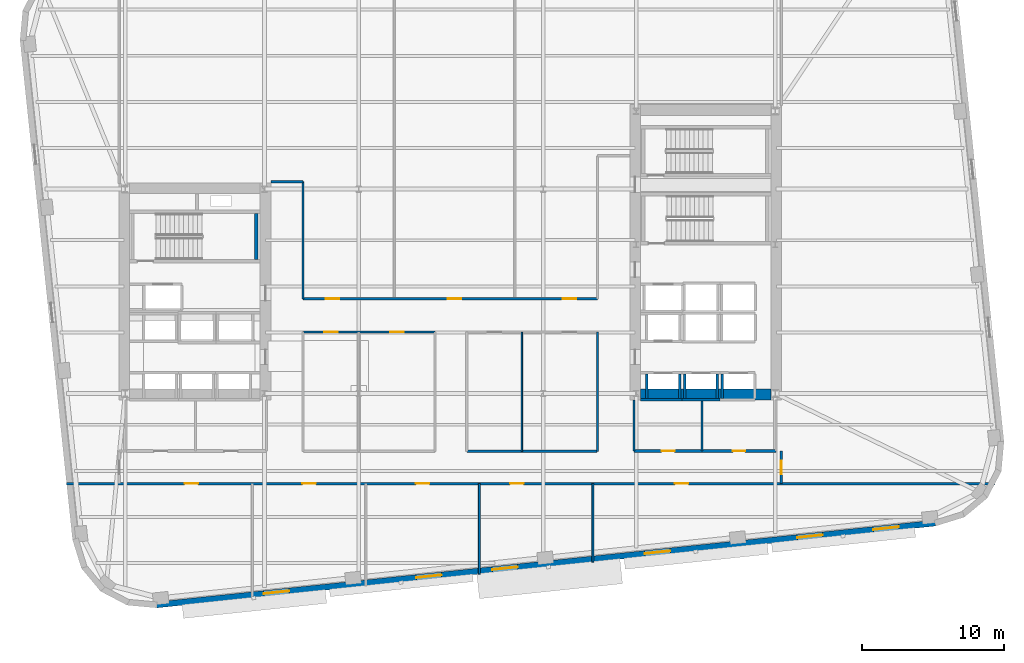
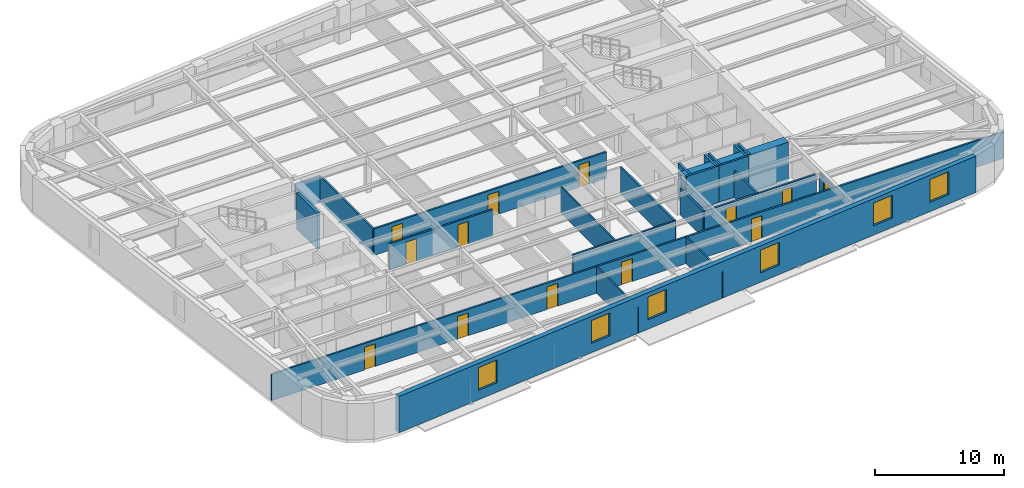
# One storey, part 5 of 11: 24 walls, 13 doors, 6 windows, 19 openings.
"""IFC4 building model written with IfcOpenShell, lengths in metres."""

from ifc_helpers import new_model, si_unit, direction, frame, frame_2d, origin, place, context, subcontext, project, spatial, rectangle, extrude, material, layer, layer_set, type_object, element, fill, save


model = new_model("IFC4")

# Units and contexts
model_context = context("Model", 3, precision=1e-05, world=origin(), true_north=direction((0.0, 1.0)))
body_context = subcontext(model_context, "Body", "Model", "MODEL_VIEW")
ifc_project = project(units=[si_unit("LENGTHUNIT", "METRE"), si_unit("AREAUNIT", "SQUARE_METRE"), si_unit("VOLUMEUNIT", "CUBIC_METRE"), si_unit("PLANEANGLEUNIT", "RADIAN"), si_unit("MASSUNIT", "GRAM", prefix="KILO")], contexts=[model_context])

# Site, building, storey
site_placement = place(None, origin())
site = spatial("IfcSite", under=ifc_project, at=site_placement, CompositionType="ELEMENT")
building_placement = place(site_placement, origin())
building = spatial("IfcBuilding", under=site, at=building_placement, Name="Kolvaren Arena Tower", CompositionType="ELEMENT")
storey_placement = place(building_placement, frame((0.0, 0.0, 122.199951171875)))
storey = spatial("IfcBuildingStorey", under=building, at=storey_placement, Name="L28", CompositionType="ELEMENT", Elevation=122.199951171875)

# Wall, openings, doors
ifc_material_1 = material(Name="Gypsum board acoustic assembly", Category="gypsum")
ifc_layer_1 = layer(ifc_material_1, 0.159912109375)
ifc_layer_set_1 = layer_set([ifc_layer_1], Name="Gypsum board acoustic assembly")
wall_type_1 = type_object("IfcWallType", Name="CORR-160", PredefinedType="PARTITIONING", material=ifc_layer_set_1)
wall_1_placement = place(storey_placement, frame((10.41552734375, 13.10009765625, 0.0), z_axis=(0.0, 0.0, 1.0), x_axis=(1.0, 0.0, 0.0)))
wall_1 = element("IfcWall", 1, at=wall_1_placement, inside=storey, type_object=wall_type_1, Name="Interior Partition Wall (L28)", PredefinedType="PARTITIONING", context=body_context, shape_type="SweptSolid", body=[
    extrude(rectangle(XDim=65.414794921875, YDim=0.159912109375, at=frame_2d((32.70751953125, 0.0))), origin(), (0.0, 0.0, 1.0), 2.5),
])
opening_1_placement = place(wall_1_placement, frame((8.3095703125, 0.0, 0.0)))
opening_1 = element("IfcOpeningElement", 2, at=opening_1_placement, cuts=wall_1, Name="Opening D05", PredefinedType="OPENING", context=body_context, shape_type="SweptSolid", body=[
    extrude(rectangle(XDim=0.949951171875, YDim=2.14990234375, at=frame_2d((0.47509765625, 1.074951171875))), frame((0.0, 0.08984375, 0.0), z_axis=(0.0, -1.0, 0.0), x_axis=(1.0, 0.0, 0.0)), (0.0, 0.0, 1.0), 0.179931640625),
])
opening_2_placement = place(wall_1_placement, frame((16.609619140625, 0.0, 0.0)))
opening_2 = element("IfcOpeningElement", 3, at=opening_2_placement, cuts=wall_1, Name="Opening D05", PredefinedType="OPENING", context=body_context, shape_type="SweptSolid", body=[
    extrude(rectangle(XDim=0.949951171875, YDim=2.14990234375, at=frame_2d((0.47509765625, 1.074951171875))), frame((0.0, 0.08984375, 0.0), z_axis=(0.0, -1.0, 0.0), x_axis=(1.0, 0.0, 0.0)), (0.0, 0.0, 1.0), 0.179931640625),
])
opening_3_placement = place(wall_1_placement, frame((24.609619140625, 0.0, 0.0)))
opening_3 = element("IfcOpeningElement", 4, at=opening_3_placement, cuts=wall_1, Name="Opening D05", PredefinedType="OPENING", context=body_context, shape_type="SweptSolid", body=[
    extrude(rectangle(XDim=0.949951171875, YDim=2.14990234375, at=frame_2d((0.47509765625, 1.074951171875))), frame((0.0, 0.08984375, 0.0), z_axis=(0.0, -1.0, 0.0), x_axis=(1.0, 0.0, 0.0)), (0.0, 0.0, 1.0), 0.179931640625),
])
opening_4_placement = place(wall_1_placement, frame((31.259521484375, 0.0, 0.0)))
opening_4 = element("IfcOpeningElement", 5, at=opening_4_placement, cuts=wall_1, Name="Opening D05", PredefinedType="OPENING", context=body_context, shape_type="SweptSolid", body=[
    extrude(rectangle(XDim=0.949951171875, YDim=2.14990234375, at=frame_2d((0.47509765625, 1.074951171875))), frame((0.0, 0.08984375, 0.0), z_axis=(0.0, -1.0, 0.0), x_axis=(1.0, 0.0, 0.0)), (0.0, 0.0, 1.0), 0.179931640625),
])
opening_5_placement = place(wall_1_placement, frame((42.859619140625, 0.0, 0.0)))
opening_5 = element("IfcOpeningElement", 6, at=opening_5_placement, cuts=wall_1, Name="Opening D05", PredefinedType="OPENING", context=body_context, shape_type="SweptSolid", body=[
    extrude(rectangle(XDim=0.949951171875, YDim=2.14990234375, at=frame_2d((0.47509765625, 1.074951171875))), frame((0.0, 0.08984375, 0.0), z_axis=(0.0, -1.0, 0.0), x_axis=(1.0, 0.0, 0.0)), (0.0, 0.0, 1.0), 0.179931640625),
])
ifc_material_2 = material(Name="Solid-core oak acoustic office door", Category="wood")
door_type_1 = type_object("IfcDoorType", Name="DOOR-OF-095", OperationType="NOTDEFINED", PredefinedType="DOOR", material=ifc_material_2)
door_1_placement = place(opening_1_placement, origin())
door_1 = element("IfcDoor", 7, at=door_1_placement, inside=storey, type_object=door_type_1, Name="Wellness Room Door (L28)", OperationType="SINGLE_SWING_RIGHT", OverallHeight=2.14990234375, OverallWidth=0.949951171875, PredefinedType="DOOR", context=body_context, shape_type="SweptSolid", body=[
    extrude(rectangle(XDim=0.949951171875, YDim=2.14990234375, at=frame_2d((0.47509765625, 1.074951171875))), frame((0.0, 0.02490234375, 0.0), z_axis=(0.0, -1.0, 0.0), x_axis=(1.0, 0.0, 0.0)), (0.0, 0.0, 1.0), 0.050048828125),
])
fill(opening_1, door_1)
door_2_placement = place(opening_2_placement, origin())
door_2 = element("IfcDoor", 8, at=door_2_placement, inside=storey, type_object=door_type_1, Name="Training Seminar Room Door (L28)", OperationType="SINGLE_SWING_LEFT", OverallHeight=2.14990234375, OverallWidth=0.949951171875, PredefinedType="DOOR", context=body_context, shape_type="SweptSolid", body=[
    extrude(rectangle(XDim=0.949951171875, YDim=2.14990234375, at=frame_2d((0.47509765625, 1.074951171875))), frame((0.0, 0.02490234375, 0.0), z_axis=(0.0, -1.0, 0.0), x_axis=(1.0, 0.0, 0.0)), (0.0, 0.0, 1.0), 0.050048828125),
])
fill(opening_2, door_2)
door_3_placement = place(opening_3_placement, origin())
door_3 = element("IfcDoor", 9, at=door_3_placement, inside=storey, type_object=door_type_1, Name="Open Plan Office Door (L28)", OperationType="SINGLE_SWING_RIGHT", OverallHeight=2.14990234375, OverallWidth=0.949951171875, PredefinedType="DOOR", context=body_context, shape_type="SweptSolid", body=[
    extrude(rectangle(XDim=0.949951171875, YDim=2.14990234375, at=frame_2d((0.47509765625, 1.074951171875))), frame((0.0, 0.02490234375, 0.0), z_axis=(0.0, -1.0, 0.0), x_axis=(1.0, 0.0, 0.0)), (0.0, 0.0, 1.0), 0.050048828125),
])
fill(opening_3, door_3)
door_4_placement = place(opening_4_placement, origin())
door_4 = element("IfcDoor", 10, at=door_4_placement, inside=storey, type_object=door_type_1, Name="Boardroom Door (L28)", OperationType="SINGLE_SWING_LEFT", OverallHeight=2.14990234375, OverallWidth=0.949951171875, PredefinedType="DOOR", context=body_context, shape_type="SweptSolid", body=[
    extrude(rectangle(XDim=0.949951171875, YDim=2.14990234375, at=frame_2d((0.47509765625, 1.074951171875))), frame((0.0, 0.02490234375, 0.0), z_axis=(0.0, -1.0, 0.0), x_axis=(1.0, 0.0, 0.0)), (0.0, 0.0, 1.0), 0.050048828125),
])
fill(opening_4, door_4)
door_5_placement = place(opening_5_placement, origin())
door_5 = element("IfcDoor", 11, at=door_5_placement, inside=storey, type_object=door_type_1, Name="Breakout Pantry and Kitchen Door (L28)", OperationType="SINGLE_SWING_RIGHT", OverallHeight=2.14990234375, OverallWidth=0.949951171875, PredefinedType="DOOR", context=body_context, shape_type="SweptSolid", body=[
    extrude(rectangle(XDim=0.949951171875, YDim=2.14990234375, at=frame_2d((0.47509765625, 1.074951171875))), frame((0.0, 0.02490234375, 0.0), z_axis=(0.0, -1.0, 0.0), x_axis=(1.0, 0.0, 0.0)), (0.0, 0.0, 1.0), 0.050048828125),
])
fill(opening_5, door_5)

wall_2_placement = place(storey_placement, frame((27.080078125, 26.1201171875, 0.0), z_axis=(0.0, 0.0, 1.0), x_axis=(1.0, 0.0, 0.0)))
wall_2 = element("IfcWall", 12, at=wall_2_placement, inside=storey, type_object=wall_type_1, Name="Interior Partition Wall (L28)", PredefinedType="PARTITIONING", context=body_context, shape_type="SweptSolid", body=[
    extrude(rectangle(XDim=20.739990234375, YDim=0.159912109375, at=frame_2d((10.3701171875, 0.0))), origin(), (0.0, 0.0, 1.0), 2.5),
])
opening_6_placement = place(wall_2_placement, frame((1.594970703125, 0.0, 0.0)))
opening_6 = element("IfcOpeningElement", 13, at=opening_6_placement, cuts=wall_2, Name="Opening D05", PredefinedType="OPENING", context=body_context, shape_type="SweptSolid", body=[
    extrude(rectangle(XDim=0.949951171875, YDim=2.14990234375, at=frame_2d((0.47509765625, 1.074951171875))), frame((0.0, 0.08984375, 0.0), z_axis=(0.0, -1.0, 0.0), x_axis=(1.0, 0.0, 0.0)), (0.0, 0.0, 1.0), 0.179931640625),
])
opening_7_placement = place(wall_2_placement, frame((10.195068359375, 0.0, 0.0)))
opening_7 = element("IfcOpeningElement", 14, at=opening_7_placement, cuts=wall_2, Name="Opening D05", PredefinedType="OPENING", context=body_context, shape_type="SweptSolid", body=[
    extrude(rectangle(XDim=0.949951171875, YDim=2.14990234375, at=frame_2d((0.47509765625, 1.074951171875))), frame((0.0, 0.08984375, 0.0), z_axis=(0.0, -1.0, 0.0), x_axis=(1.0, 0.0, 0.0)), (0.0, 0.0, 1.0), 0.179931640625),
])
opening_8_placement = place(wall_2_placement, frame((18.294921875, 0.0, 0.0)))
opening_8 = element("IfcOpeningElement", 15, at=opening_8_placement, cuts=wall_2, Name="Opening D05", PredefinedType="OPENING", context=body_context, shape_type="SweptSolid", body=[
    extrude(rectangle(XDim=0.949951171875, YDim=2.14990234375, at=frame_2d((0.47509765625, 1.074951171875))), frame((0.0, 0.08984375, 0.0), z_axis=(0.0, -1.0, 0.0), x_axis=(1.0, 0.0, 0.0)), (0.0, 0.0, 1.0), 0.179931640625),
])
door_6_placement = place(opening_6_placement, origin())
door_6 = element("IfcDoor", 16, at=door_6_placement, inside=storey, type_object=door_type_1, Name="Open Plan Office Door (L28)", OperationType="SINGLE_SWING_LEFT", OverallHeight=2.14990234375, OverallWidth=0.949951171875, PredefinedType="DOOR", context=body_context, shape_type="SweptSolid", body=[
    extrude(rectangle(XDim=0.949951171875, YDim=2.14990234375, at=frame_2d((0.47509765625, 1.074951171875))), frame((0.0, 0.02490234375, 0.0), z_axis=(0.0, -1.0, 0.0), x_axis=(1.0, 0.0, 0.0)), (0.0, 0.0, 1.0), 0.050048828125),
])
fill(opening_6, door_6)
door_7_placement = place(opening_7_placement, origin())
door_7 = element("IfcDoor", 17, at=door_7_placement, inside=storey, type_object=door_type_1, Name="Wellness Room Door (L28)", OperationType="SINGLE_SWING_RIGHT", OverallHeight=2.14990234375, OverallWidth=0.949951171875, PredefinedType="DOOR", context=body_context, shape_type="SweptSolid", body=[
    extrude(rectangle(XDim=0.949951171875, YDim=2.14990234375, at=frame_2d((0.47509765625, 1.074951171875))), frame((0.0, 0.02490234375, 0.0), z_axis=(0.0, -1.0, 0.0), x_axis=(1.0, 0.0, 0.0)), (0.0, 0.0, 1.0), 0.050048828125),
])
fill(opening_7, door_7)
door_8_placement = place(opening_8_placement, origin())
door_8 = element("IfcDoor", 18, at=door_8_placement, inside=storey, type_object=door_type_1, Name="Technical Engineering Office Door (L28)", OperationType="SINGLE_SWING_LEFT", OverallHeight=2.14990234375, OverallWidth=0.949951171875, PredefinedType="DOOR", context=body_context, shape_type="SweptSolid", body=[
    extrude(rectangle(XDim=0.949951171875, YDim=2.14990234375, at=frame_2d((0.47509765625, 1.074951171875))), frame((0.0, 0.02490234375, 0.0), z_axis=(0.0, -1.0, 0.0), x_axis=(1.0, 0.0, 0.0)), (0.0, 0.0, 1.0), 0.050048828125),
])
fill(opening_8, door_8)

# Walls
wall_3_placement = place(storey_placement, frame((27.080078125, 26.1201171875, 0.0), z_axis=(0.0, 0.0, 1.0), x_axis=(0.0, 1.0, 0.0)))
element("IfcWall", 19, at=wall_3_placement, inside=storey, type_object=wall_type_1, Name="Interior Partition Wall (L28)", PredefinedType="PARTITIONING", context=body_context, shape_type="SweptSolid", body=[
    extrude(rectangle(XDim=8.259765625, YDim=0.159912109375, at=frame_2d((4.1298828125, 0.0))), origin(), (0.0, 0.0, 1.0), 2.5),
])
wall_4_placement = place(storey_placement, frame((24.820068359375, 34.3798828125, 0.0), z_axis=(0.0, 0.0, 1.0), x_axis=(1.0, 0.0, 0.0)))
element("IfcWall", 20, at=wall_4_placement, inside=storey, type_object=wall_type_1, Name="Interior Partition Wall (L28)", PredefinedType="PARTITIONING", context=body_context, shape_type="SweptSolid", body=[
    extrude(rectangle(XDim=2.260009765625, YDim=0.159912109375, at=frame_2d((1.1298828125, 0.0))), origin(), (0.0, 0.0, 1.0), 2.5),
])

# Wall, openings, doors
wall_5_placement = place(storey_placement, frame((27.10009765625, 23.780029296875, 0.0), z_axis=(0.0, 0.0, 1.0), x_axis=(1.0, 0.0, 0.0)))
wall_5 = element("IfcWall", 21, at=wall_5_placement, inside=storey, type_object=wall_type_1, Name="Interior Partition Wall (L28)", PredefinedType="PARTITIONING", context=body_context, shape_type="SweptSolid", body=[
    extrude(rectangle(XDim=9.260009765625, YDim=0.159912109375, at=frame_2d((4.6298828125, 0.0))), origin(), (0.0, 0.0, 1.0), 2.5),
])
opening_9_placement = place(wall_5_placement, frame((1.47509765625, 0.0, 0.0)))
opening_9 = element("IfcOpeningElement", 22, at=opening_9_placement, cuts=wall_5, Name="Opening D05", PredefinedType="OPENING", context=body_context, shape_type="SweptSolid", body=[
    extrude(rectangle(XDim=0.949951171875, YDim=2.14990234375, at=frame_2d((0.47509765625, 1.074951171875))), frame((0.0, 0.08984375, 0.0), z_axis=(0.0, -1.0, 0.0), x_axis=(1.0, 0.0, 0.0)), (0.0, 0.0, 1.0), 0.179931640625),
])
opening_10_placement = place(wall_5_placement, frame((6.10498046875, 0.0, 0.0)))
opening_10 = element("IfcOpeningElement", 23, at=opening_10_placement, cuts=wall_5, Name="Opening D05", PredefinedType="OPENING", context=body_context, shape_type="SweptSolid", body=[
    extrude(rectangle(XDim=0.949951171875, YDim=2.14990234375, at=frame_2d((0.47509765625, 1.074951171875))), frame((0.0, 0.08984375, 0.0), z_axis=(0.0, -1.0, 0.0), x_axis=(1.0, 0.0, 0.0)), (0.0, 0.0, 1.0), 0.179931640625),
])
door_9_placement = place(opening_9_placement, origin())
door_9 = element("IfcDoor", 24, at=door_9_placement, inside=storey, type_object=door_type_1, Name="Open Plan Office Door (L28)", OperationType="SINGLE_SWING_RIGHT", OverallHeight=2.14990234375, OverallWidth=0.949951171875, PredefinedType="DOOR", context=body_context, shape_type="SweptSolid", body=[
    extrude(rectangle(XDim=0.949951171875, YDim=2.14990234375, at=frame_2d((0.47509765625, 1.074951171875))), frame((0.0, 0.02490234375, 0.0), z_axis=(0.0, -1.0, 0.0), x_axis=(1.0, 0.0, 0.0)), (0.0, 0.0, 1.0), 0.050048828125),
])
fill(opening_9, door_9)
door_10_placement = place(opening_10_placement, origin())
door_10 = element("IfcDoor", 25, at=door_10_placement, inside=storey, type_object=door_type_1, Name="Boardroom Door (L28)", OperationType="SINGLE_SWING_LEFT", OverallHeight=2.14990234375, OverallWidth=0.949951171875, PredefinedType="DOOR", context=body_context, shape_type="SweptSolid", body=[
    extrude(rectangle(XDim=0.949951171875, YDim=2.14990234375, at=frame_2d((0.47509765625, 1.074951171875))), frame((0.0, 0.02490234375, 0.0), z_axis=(0.0, -1.0, 0.0), x_axis=(1.0, 0.0, 0.0)), (0.0, 0.0, 1.0), 0.050048828125),
])
fill(opening_10, door_10)

# Walls
wall_6_placement = place(storey_placement, frame((38.639892578125, 15.3798828125, 0.0), z_axis=(0.0, 0.0, 1.0), x_axis=(1.0, 0.0, 0.0)))
element("IfcWall", 26, at=wall_6_placement, inside=storey, type_object=wall_type_1, Name="Interior Partition Wall (L28)", PredefinedType="PARTITIONING", context=body_context, shape_type="SweptSolid", body=[
    extrude(rectangle(XDim=9.16015625, YDim=0.159912109375, at=frame_2d((4.580078125, 0.0))), origin(), (0.0, 0.0, 1.0), 2.5),
])
wall_7_placement = place(storey_placement, frame((47.820068359375, 15.3798828125, 0.0), z_axis=(0.0, 0.0, 1.0), x_axis=(0.0, 1.0, 0.0)))
element("IfcWall", 27, at=wall_7_placement, inside=storey, type_object=wall_type_1, Name="Interior Partition Wall (L28)", PredefinedType="PARTITIONING", context=body_context, shape_type="SweptSolid", body=[
    extrude(rectangle(XDim=8.400146484375, YDim=0.159912109375, at=frame_2d((4.2001953125, 0.0))), origin(), (0.0, 0.0, 1.0), 2.5),
])

# Wall, opening, door
wall_8_placement = place(storey_placement, frame((60.780029296875, 13.10009765625, 0.0), z_axis=(0.0, 0.0, 1.0), x_axis=(0.0, 1.0, 0.0)))
wall_8 = element("IfcWall", 28, at=wall_8_placement, inside=storey, type_object=wall_type_1, Name="Interior Partition Wall (L28)", PredefinedType="PARTITIONING", context=body_context, shape_type="SweptSolid", body=[
    extrude(rectangle(XDim=2.2998046875, YDim=0.159912109375, at=frame_2d((1.14990234375, 0.0))), origin(), (0.0, 0.0, 1.0), 2.5),
])
opening_11_placement = place(wall_8_placement, frame((0.64990234375, 0.0, 0.0)))
opening_11 = element("IfcOpeningElement", 29, at=opening_11_placement, cuts=wall_8, Name="Opening D05", PredefinedType="OPENING", context=body_context, shape_type="SweptSolid", body=[
    extrude(rectangle(XDim=0.949951171875, YDim=2.14990234375, at=frame_2d((0.47509765625, 1.074951171875))), frame((0.0, 0.08984375, 0.0), z_axis=(0.0, -1.0, 0.0), x_axis=(1.0, 0.0, 0.0)), (0.0, 0.0, 1.0), 0.179931640625),
])
door_11_placement = place(opening_11_placement, origin())
door_11 = element("IfcDoor", 30, at=door_11_placement, inside=storey, type_object=door_type_1, Name="East Wing Studio Door (L28)", OperationType="SINGLE_SWING_RIGHT", OverallHeight=2.14990234375, OverallWidth=0.949951171875, PredefinedType="DOOR", context=body_context, shape_type="SweptSolid", body=[
    extrude(rectangle(XDim=0.949951171875, YDim=2.14990234375, at=frame_2d((0.47509765625, 1.074951171875))), frame((0.0, 0.02490234375, 0.0), z_axis=(0.0, -1.0, 0.0), x_axis=(1.0, 0.0, 0.0)), (0.0, 0.0, 1.0), 0.050048828125),
])
fill(opening_11, door_11)

# Wall
ifc_material_3 = material(Name="Concrete 70 MPa", Category="concrete")
ifc_layer_2 = layer(ifc_material_3, 0.75)
ifc_layer_set_2 = layer_set([ifc_layer_2], Name="Concrete 70 MPa")
wall_type_2 = type_object("IfcWallType", Name="CWALL-750", PredefinedType="SHEAR", material=ifc_layer_set_2)
wall_9_placement = place(storey_placement, frame((50.85009765625, 19.375, -0.27001953125), z_axis=(0.0, 0.0, 1.0), x_axis=(1.0, 0.0, 0.0)))
element("IfcWall", 31, at=wall_9_placement, inside=storey, type_object=wall_type_2, Name="Core Shear Wall EC-SOUTH (L28)", PredefinedType="SHEAR", context=body_context, shape_type="SweptSolid", body=[
    extrude(rectangle(XDim=9.199951171875, YDim=0.75, at=frame_2d((4.60009765625, 0.0))), origin(), (0.0, 0.0, 1.0), 3.7099609375),
])

# Wall, openings, windows
ifc_material_4 = material(Name="Precast concrete C50/60", Category="concrete")
ifc_layer_3 = layer(ifc_material_4, 0.419921875)
ifc_layer_set_3 = layer_set([ifc_layer_3], Name="Precast concrete C50/60")
wall_type_3 = type_object("IfcWallType", Name="EXT-PIER1", PredefinedType="SOLIDWALL", material=ifc_layer_set_3)
wall_10_placement = place(storey_placement, frame((71.641357421875, 10.3203125, 0.0), z_axis=(0.0, 0.0, 1.0), x_axis=(-0.994521775062, -0.104529607897, 0.0)))
wall_10 = element("IfcWall", 32, at=wall_10_placement, inside=storey, type_object=wall_type_3, Name="Exterior Precast Masonry-Frame Wall (L28)", PredefinedType="SOLIDWALL", context=body_context, shape_type="SweptSolid", body=[
    extrude(rectangle(XDim=55.199951171875, YDim=0.419921875, at=frame_2d((27.60009765625, 0.0))), origin(), (0.0, 0.0, 1.0), 3.43994140625),
])
opening_12_placement = place(wall_10_placement, frame((2.60009765625, 0.0, 0.8798828125)))
opening_12 = element("IfcOpeningElement", 33, at=opening_12_placement, cuts=wall_10, Name="Opening W02", PredefinedType="OPENING", context=body_context, shape_type="SweptSolid", body=[
    extrude(rectangle(XDim=1.800048828125, YDim=2.14990234375, at=frame_2d((0.89990234375, 1.074951171875))), frame((0.0, 0.219970703125, 0.0), z_axis=(0.0, -1.0, 0.0), x_axis=(1.0, 0.0, 0.0)), (0.0, 0.0, 1.0), 0.43994140625),
])
opening_13_placement = place(wall_10_placement, frame((8.0, 0.0, 0.8798828125)))
opening_13 = element("IfcOpeningElement", 34, at=opening_13_placement, cuts=wall_10, Name="Opening W02", PredefinedType="OPENING", context=body_context, shape_type="SweptSolid", body=[
    extrude(rectangle(XDim=1.800048828125, YDim=2.14990234375, at=frame_2d((0.89990234375, 1.074951171875))), frame((0.0, 0.219970703125, 0.0), z_axis=(0.0, -1.0, 0.0), x_axis=(1.0, 0.0, 0.0)), (0.0, 0.0, 1.0), 0.43994140625),
])
opening_14_placement = place(wall_10_placement, frame((18.800048828125, 0.0, 0.8798828125)))
opening_14 = element("IfcOpeningElement", 35, at=opening_14_placement, cuts=wall_10, Name="Opening W02", PredefinedType="OPENING", context=body_context, shape_type="SweptSolid", body=[
    extrude(rectangle(XDim=1.800048828125, YDim=2.14990234375, at=frame_2d((0.89990234375, 1.074951171875))), frame((0.0, 0.219970703125, 0.0), z_axis=(0.0, -1.0, 0.0), x_axis=(1.0, 0.0, 0.0)), (0.0, 0.0, 1.0), 0.43994140625),
])
opening_15_placement = place(wall_10_placement, frame((29.60009765625, 0.0, 0.8798828125)))
opening_15 = element("IfcOpeningElement", 36, at=opening_15_placement, cuts=wall_10, Name="Opening W02", PredefinedType="OPENING", context=body_context, shape_type="SweptSolid", body=[
    extrude(rectangle(XDim=1.800048828125, YDim=2.14990234375, at=frame_2d((0.89990234375, 1.074951171875))), frame((0.0, 0.219970703125, 0.0), z_axis=(0.0, -1.0, 0.0), x_axis=(1.0, 0.0, 0.0)), (0.0, 0.0, 1.0), 0.43994140625),
])
opening_16_placement = place(wall_10_placement, frame((35.0, 0.0, 0.8798828125)))
opening_16 = element("IfcOpeningElement", 37, at=opening_16_placement, cuts=wall_10, Name="Opening W02", PredefinedType="OPENING", context=body_context, shape_type="SweptSolid", body=[
    extrude(rectangle(XDim=1.800048828125, YDim=2.14990234375, at=frame_2d((0.89990234375, 1.074951171875))), frame((0.0, 0.219970703125, 0.0), z_axis=(0.0, -1.0, 0.0), x_axis=(1.0, 0.0, 0.0)), (0.0, 0.0, 1.0), 0.43994140625),
])
opening_17_placement = place(wall_10_placement, frame((45.800048828125, 0.0, 0.8798828125)))
opening_17 = element("IfcOpeningElement", 38, at=opening_17_placement, cuts=wall_10, Name="Opening W02", PredefinedType="OPENING", context=body_context, shape_type="SweptSolid", body=[
    extrude(rectangle(XDim=1.800048828125, YDim=2.14990234375, at=frame_2d((0.89990234375, 1.074951171875))), frame((0.0, 0.219970703125, 0.0), z_axis=(0.0, -1.0, 0.0), x_axis=(1.0, 0.0, 0.0)), (0.0, 0.0, 1.0), 0.43994140625),
])
ifc_material_5 = material(Name="Triple-glazed low-E aluminium window", Category="aluminium")
window_type = type_object("IfcWindowType", Name="WIN-OFF-B", PartitioningType="DOUBLE_PANEL_VERTICAL", PredefinedType="WINDOW", material=ifc_material_5)
window_1_placement = place(opening_12_placement, origin())
window_1 = element("IfcWindow", 39, at=window_1_placement, inside=storey, type_object=window_type, Name="Punched Precast-Pier Window (L28)", OverallHeight=2.14990234375, OverallWidth=1.800048828125, PartitioningType="DOUBLE_PANEL_VERTICAL", PredefinedType="WINDOW", context=body_context, shape_type="SweptSolid", body=[
    extrude(rectangle(XDim=1.800048828125, YDim=2.14990234375, at=frame_2d((0.89990234375, 1.074951171875))), frame((0.0, 0.030029296875, 0.0), z_axis=(0.0, -1.0, 0.0), x_axis=(1.0, 0.0, 0.0)), (0.0, 0.0, 1.0), 0.06005859375),
])
fill(opening_12, window_1)
window_2_placement = place(opening_13_placement, origin())
window_2 = element("IfcWindow", 40, at=window_2_placement, inside=storey, type_object=window_type, Name="Punched Precast-Pier Window (L28)", OverallHeight=2.14990234375, OverallWidth=1.800048828125, PartitioningType="DOUBLE_PANEL_VERTICAL", PredefinedType="WINDOW", context=body_context, shape_type="SweptSolid", body=[
    extrude(rectangle(XDim=1.800048828125, YDim=2.14990234375, at=frame_2d((0.89990234375, 1.074951171875))), frame((0.0, 0.030029296875, 0.0), z_axis=(0.0, -1.0, 0.0), x_axis=(1.0, 0.0, 0.0)), (0.0, 0.0, 1.0), 0.06005859375),
])
fill(opening_13, window_2)
window_3_placement = place(opening_14_placement, origin())
window_3 = element("IfcWindow", 41, at=window_3_placement, inside=storey, type_object=window_type, Name="Punched Precast-Pier Window (L28)", OverallHeight=2.14990234375, OverallWidth=1.800048828125, PartitioningType="DOUBLE_PANEL_VERTICAL", PredefinedType="WINDOW", context=body_context, shape_type="SweptSolid", body=[
    extrude(rectangle(XDim=1.800048828125, YDim=2.14990234375, at=frame_2d((0.89990234375, 1.074951171875))), frame((0.0, 0.030029296875, 0.0), z_axis=(0.0, -1.0, 0.0), x_axis=(1.0, 0.0, 0.0)), (0.0, 0.0, 1.0), 0.06005859375),
])
fill(opening_14, window_3)
window_4_placement = place(opening_15_placement, origin())
window_4 = element("IfcWindow", 42, at=window_4_placement, inside=storey, type_object=window_type, Name="Punched Precast-Pier Window (L28)", OverallHeight=2.14990234375, OverallWidth=1.800048828125, PartitioningType="DOUBLE_PANEL_VERTICAL", PredefinedType="WINDOW", context=body_context, shape_type="SweptSolid", body=[
    extrude(rectangle(XDim=1.800048828125, YDim=2.14990234375, at=frame_2d((0.89990234375, 1.074951171875))), frame((0.0, 0.030029296875, 0.0), z_axis=(0.0, -1.0, 0.0), x_axis=(1.0, 0.0, 0.0)), (0.0, 0.0, 1.0), 0.06005859375),
])
fill(opening_15, window_4)
window_5_placement = place(opening_16_placement, origin())
window_5 = element("IfcWindow", 43, at=window_5_placement, inside=storey, type_object=window_type, Name="Punched Precast-Pier Window (L28)", OverallHeight=2.14990234375, OverallWidth=1.800048828125, PartitioningType="DOUBLE_PANEL_VERTICAL", PredefinedType="WINDOW", context=body_context, shape_type="SweptSolid", body=[
    extrude(rectangle(XDim=1.800048828125, YDim=2.14990234375, at=frame_2d((0.89990234375, 1.074951171875))), frame((0.0, 0.030029296875, 0.0), z_axis=(0.0, -1.0, 0.0), x_axis=(1.0, 0.0, 0.0)), (0.0, 0.0, 1.0), 0.06005859375),
])
fill(opening_16, window_5)
window_6_placement = place(opening_17_placement, origin())
window_6 = element("IfcWindow", 44, at=window_6_placement, inside=storey, type_object=window_type, Name="Punched Precast-Pier Window (L28)", OverallHeight=2.14990234375, OverallWidth=1.800048828125, PartitioningType="DOUBLE_PANEL_VERTICAL", PredefinedType="WINDOW", context=body_context, shape_type="SweptSolid", body=[
    extrude(rectangle(XDim=1.800048828125, YDim=2.14990234375, at=frame_2d((0.89990234375, 1.074951171875))), frame((0.0, 0.030029296875, 0.0), z_axis=(0.0, -1.0, 0.0), x_axis=(1.0, 0.0, 0.0)), (0.0, 0.0, 1.0), 0.06005859375),
])
fill(opening_17, window_6)

# Walls
ifc_material_6 = material(Name="Gypsum board partition assembly", Category="gypsum")
ifc_layer_4 = layer(ifc_material_6, 0.114990234375)
ifc_layer_set_4 = layer_set([ifc_layer_4], Name="Gypsum board partition assembly")
wall_type_4 = type_object("IfcWallType", Name="PART-115", PredefinedType="PARTITIONING", material=ifc_layer_set_4)
wall_11_placement = place(storey_placement, frame((42.5, 15.3798828125, 0.0), z_axis=(0.0, 0.0, 1.0), x_axis=(0.0, 1.0, 0.0)))
element("IfcWall", 45, at=wall_11_placement, inside=storey, type_object=wall_type_4, Name="Interior Partition Wall (L28)", PredefinedType="PARTITIONING", context=body_context, shape_type="SweptSolid", body=[
    extrude(rectangle(XDim=8.400146484375, YDim=0.114990234375, at=frame_2d((4.2001953125, 0.0))), origin(), (0.0, 0.0, 1.0), 2.5),
])
ifc_layer_5 = layer(ifc_material_6, 0.135009765625)
ifc_layer_set_5 = layer_set([ifc_layer_5], Name="Gypsum board partition assembly")
wall_type_5 = type_object("IfcWallType", Name="PART-135", PredefinedType="PARTITIONING", material=ifc_layer_set_5)
wall_12_placement = place(storey_placement, frame((39.5, 6.73095703125, 0.0), z_axis=(0.0, 0.0, 1.0), x_axis=(0.0, 1.0, 0.0)))
element("IfcWall", 46, at=wall_12_placement, inside=storey, type_object=wall_type_5, Name="Interior Partition Wall (L28)", PredefinedType="PARTITIONING", context=body_context, shape_type="SweptSolid", body=[
    extrude(rectangle(XDim=6.369140625, YDim=0.135009765625, at=frame_2d((3.1845703125, 0.0))), origin(), (0.0, 0.0, 1.0), 2.5),
])
wall_13_placement = place(storey_placement, frame((47.5, 7.572021484375, 0.0), z_axis=(0.0, 0.0, 1.0), x_axis=(0.0, 1.0, 0.0)))
element("IfcWall", 47, at=wall_13_placement, inside=storey, type_object=wall_type_5, Name="Interior Partition Wall (L28)", PredefinedType="PARTITIONING", context=body_context, shape_type="SweptSolid", body=[
    extrude(rectangle(XDim=5.528076171875, YDim=0.135009765625, at=frame_2d((2.76416015625, 0.0))), origin(), (0.0, 0.0, 1.0), 2.5),
])
ifc_material_7 = material(Name="Concrete 45 MPa", Category="concrete")
ifc_layer_6 = layer(ifc_material_7, 0.25)
ifc_layer_set_6 = layer_set([ifc_layer_6], Name="Concrete 45 MPa")
wall_type_6 = type_object("IfcWallType", Name="SHAFT-250", PredefinedType="SOLIDWALL", material=ifc_layer_set_6)
wall_14_placement = place(storey_placement, frame((23.780029296875, 28.89990234375, 0.0), z_axis=(0.0, 0.0, 1.0), x_axis=(0.0, 1.0, 0.0)))
element("IfcWall", 48, at=wall_14_placement, inside=storey, type_object=wall_type_6, Name="Core Shaft Wall (L28)", PredefinedType="SOLIDWALL", context=body_context, shape_type="SweptSolid", body=[
    extrude(rectangle(XDim=3.22998046875, YDim=0.239990234375, at=frame_2d((1.614990234375, 0.0))), origin(), (0.0, 0.0, 1.0), 3.43994140625),
])
wall_15_placement = place(storey_placement, frame((50.85009765625, 18.9951171875, 0.0), z_axis=(0.0, 0.0, 1.0), x_axis=(1.0, 0.0, 0.0)))
element("IfcWall", 49, at=wall_15_placement, inside=storey, type_object=wall_type_6, Name="Core Shaft Wall (L28)", PredefinedType="SOLIDWALL", context=body_context, shape_type="SweptSolid", body=[
    extrude(rectangle(XDim=2.93994140625, YDim=0.179931640625, at=frame_2d((1.469970703125, 0.0))), origin(), (0.0, 0.0, 1.0), 3.43994140625),
])
for number, where, z_axis, x_axis, name in (
    (50, (51.304931640625, 19.0849609375, 0.0), (0.0, 0.0, 1.0), (0.0, 1.0, 0.0), "Core Shaft Wall (L28)"),
    (51, (53.614990234375, 19.0849609375, 0.0), (0.0, 0.0, 1.0), (0.0, 1.0, 0.0), "Core Shaft Wall (L28)"),
):
    element("IfcWall", number, at=place(storey_placement, frame(where, z_axis=z_axis, x_axis=x_axis)), inside=storey, type_object=wall_type_6, Name=name, PredefinedType="SOLIDWALL", context=body_context, shape_type="SweptSolid", body=[
        extrude(rectangle(XDim=1.72998046875, YDim=0.179931640625, at=frame_2d((0.864990234375, 0.0))), origin(), (0.0, 0.0, 1.0), 3.43994140625),
    ])
wall_16_placement = place(storey_placement, frame((53.7900390625, 18.9951171875, 0.0), z_axis=(0.0, 0.0, 1.0), x_axis=(1.0, 0.0, 0.0)))
element("IfcWall", 52, at=wall_16_placement, inside=storey, type_object=wall_type_6, Name="Core Shaft Wall (L28)", PredefinedType="SOLIDWALL", context=body_context, shape_type="SweptSolid", body=[
    extrude(rectangle(XDim=2.64990234375, YDim=0.179931640625, at=frame_2d((1.324951171875, 0.0))), origin(), (0.0, 0.0, 1.0), 3.43994140625),
])
for number, where, z_axis, x_axis, name in (
    (53, (53.965087890625, 19.0849609375, 0.0), (0.0, 0.0, 1.0), (0.0, 1.0, 0.0), "Core Shaft Wall (L28)"),
    (54, (56.27490234375, 19.0849609375, 0.0), (0.0, 0.0, 1.0), (0.0, 1.0, 0.0), "Core Shaft Wall (L28)"),
    (55, (56.60498046875, 19.0849609375, 0.0), (0.0, 0.0, 1.0), (0.0, 1.0, 0.0), "Core Shaft Wall (L28)"),
):
    element("IfcWall", number, at=place(storey_placement, frame(where, z_axis=z_axis, x_axis=x_axis)), inside=storey, type_object=wall_type_6, Name=name, PredefinedType="SOLIDWALL", context=body_context, shape_type="SweptSolid", body=[
        extrude(rectangle(XDim=1.72998046875, YDim=0.179931640625, at=frame_2d((0.864990234375, 0.0))), origin(), (0.0, 0.0, 1.0), 3.43994140625),
    ])

# Wall, openings, doors
wall_17_placement = place(storey_placement, frame((50.39990234375, 15.39990234375, 0.0), z_axis=(0.0, 0.0, 1.0), x_axis=(1.0, 0.0, 0.0)))
wall_17 = element("IfcWall", 56, at=wall_17_placement, inside=storey, type_object=wall_type_6, Name="Interior Partition Wall (L28)", PredefinedType="SOLIDWALL", context=body_context, shape_type="SweptSolid", body=[
    extrude(rectangle(XDim=10.0, YDim=0.179931640625, at=frame_2d((5.0, 0.0))), origin(), (0.0, 0.0, 1.0), 2.5),
])
opening_18_placement = place(wall_17_placement, frame((1.93994140625, 0.0, 0.0)))
opening_18 = element("IfcOpeningElement", 57, at=opening_18_placement, cuts=wall_17, Name="Opening D07", PredefinedType="OPENING", context=body_context, shape_type="SweptSolid", body=[
    extrude(rectangle(XDim=0.919921875, YDim=2.10009765625, at=frame_2d((0.4599609375, 1.050048828125))), frame((0.0, 0.099853515625, 0.0), z_axis=(0.0, -1.0, 0.0), x_axis=(1.0, 0.0, 0.0)), (0.0, 0.0, 1.0), 0.199951171875),
])
opening_19_placement = place(wall_17_placement, frame((6.969970703125, 0.0, 0.0)))
opening_19 = element("IfcOpeningElement", 58, at=opening_19_placement, cuts=wall_17, Name="Opening D09", PredefinedType="OPENING", context=body_context, shape_type="SweptSolid", body=[
    extrude(rectangle(XDim=0.860107421875, YDim=2.050048828125, at=frame_2d((0.43017578125, 1.02490234375))), frame((0.0, 0.099853515625, 0.0), z_axis=(0.0, -1.0, 0.0), x_axis=(1.0, 0.0, 0.0)), (0.0, 0.0, 1.0), 0.199951171875),
])
ifc_material_8 = material(Name="Fire-rated steel riser access door", Category="steel")
door_type_2 = type_object("IfcDoorType", Name="DOOR-RS-086", OperationType="NOTDEFINED", PredefinedType="DOOR", material=ifc_material_8)
door_12_placement = place(opening_19_placement, origin())
door_12 = element("IfcDoor", 59, at=door_12_placement, inside=storey, type_object=door_type_2, Name="Electrical Riser Closet Door (L28)", OperationType="SINGLE_SWING_LEFT", OverallHeight=2.050048828125, OverallWidth=0.860107421875, PredefinedType="DOOR", context=body_context, shape_type="SweptSolid", body=[
    extrude(rectangle(XDim=0.860107421875, YDim=2.050048828125, at=frame_2d((0.43017578125, 1.02490234375))), frame((0.0, 0.02490234375, 0.0), z_axis=(0.0, -1.0, 0.0), x_axis=(1.0, 0.0, 0.0)), (0.0, 0.0, 1.0), 0.050048828125),
])
fill(opening_19, door_12)
ifc_material_9 = material(Name="Laminate universal washroom door", Category="wood")
door_type_3 = type_object("IfcDoorType", Name="DOOR-WC-092", OperationType="NOTDEFINED", PredefinedType="DOOR", material=ifc_material_9)
door_13_placement = place(opening_18_placement, origin())
door_13 = element("IfcDoor", 60, at=door_13_placement, inside=storey, type_object=door_type_3, Name="Cleaner and Janitor Store Door (L28)", OperationType="SINGLE_SWING_RIGHT", OverallHeight=2.10009765625, OverallWidth=0.919921875, PredefinedType="DOOR", context=body_context, shape_type="SweptSolid", body=[
    extrude(rectangle(XDim=0.919921875, YDim=2.10009765625, at=frame_2d((0.4599609375, 1.050048828125))), frame((0.0, 0.02490234375, 0.0), z_axis=(0.0, -1.0, 0.0), x_axis=(1.0, 0.0, 0.0)), (0.0, 0.0, 1.0), 0.050048828125),
])
fill(opening_18, door_13)

# Walls
ifc_material_10 = material(Name="Moisture-resistant gypsum assembly", Category="gypsum")
ifc_layer_7 = layer(ifc_material_10, 0.14990234375)
ifc_layer_set_7 = layer_set([ifc_layer_7], Name="Moisture-resistant gypsum assembly")
wall_type_7 = type_object("IfcWallType", Name="WETW-150", PredefinedType="PARTITIONING", material=ifc_layer_set_7)
for number, where, z_axis, x_axis, name in (
    (61, (55.199951171875, 15.39990234375, 0.0), (0.0, 0.0, 1.0), (0.0, 1.0, 0.0), "Interior Partition Wall (L28)"),
    (62, (50.39990234375, 15.39990234375, 0.0), (0.0, 0.0, 1.0), (0.0, 1.0, 0.0), "Interior Partition Wall (L28)"),
):
    element("IfcWall", number, at=place(storey_placement, frame(where, z_axis=z_axis, x_axis=x_axis)), inside=storey, type_object=wall_type_7, Name=name, PredefinedType="PARTITIONING", context=body_context, shape_type="SweptSolid", body=[
        extrude(rectangle(XDim=3.580078125, YDim=0.14990234375, at=frame_2d((1.7900390625, 0.0))), origin(), (0.0, 0.0, 1.0), 2.5),
    ])

save(model, "model.ifc")
